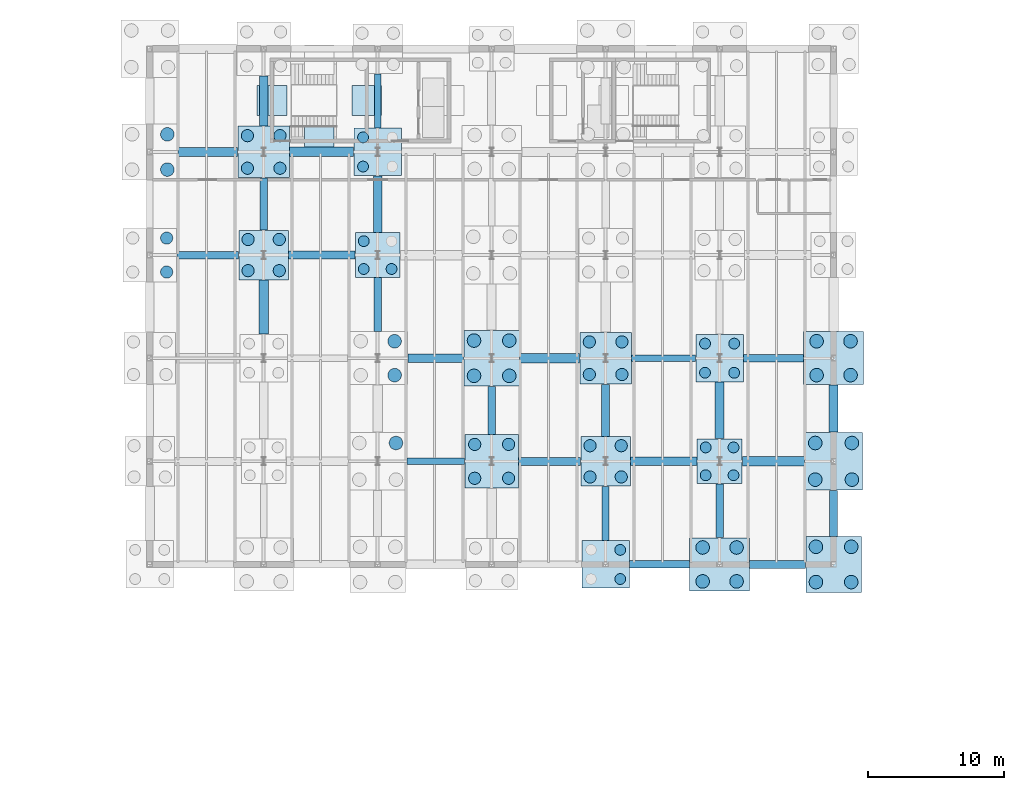
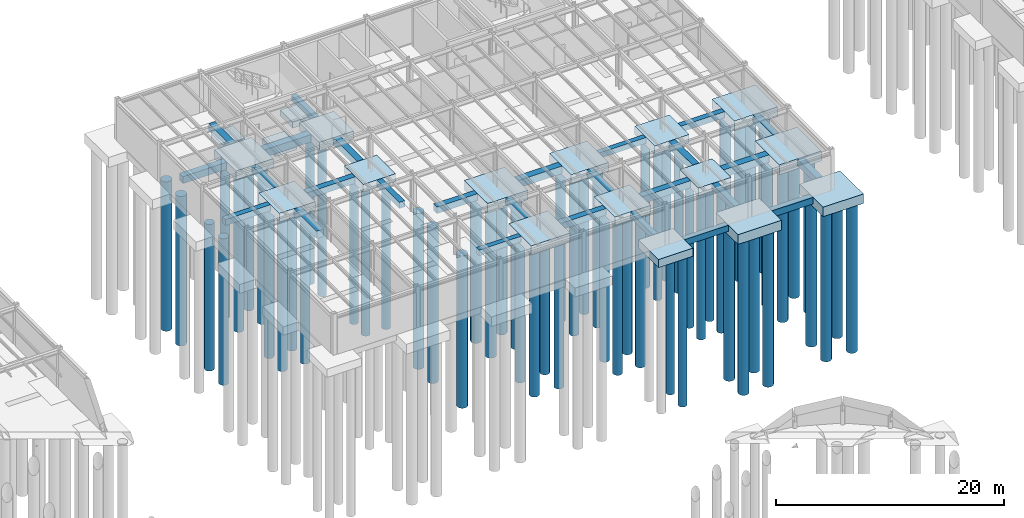
# One storey, part 4 of 33: 62 piles, 45 footings.
"""IFC4 building model written with IfcOpenShell, lengths in metres."""

from ifc_helpers import new_model, si_unit, direction, frame, origin, origin_2d, place, context, subcontext, project, spatial, rectangle, circle, extrude, material, material_profile, profile_set, type_object, element, save


model = new_model("IFC4")

# Units and contexts
model_context = context("Model", 3, precision=1e-05, world=origin(), true_north=direction((0.0, 1.0)))
body_context = subcontext(model_context, "Body", "Model", "MODEL_VIEW")
ifc_project = project(units=[si_unit("LENGTHUNIT", "METRE"), si_unit("AREAUNIT", "SQUARE_METRE"), si_unit("VOLUMEUNIT", "CUBIC_METRE"), si_unit("PLANEANGLEUNIT", "RADIAN"), si_unit("MASSUNIT", "GRAM", prefix="KILO")], contexts=[model_context])

# Site, building, storey
site_placement = place(None, origin())
site = spatial("IfcSite", under=ifc_project, at=site_placement, CompositionType="ELEMENT")
building_placement = place(site_placement, origin())
building = spatial("IfcBuilding", under=site, at=building_placement, Name="Montecoro Central Library", CompositionType="ELEMENT")
storey_placement = place(building_placement, frame((0.0, 0.0, -4.419921875)))
storey = spatial("IfcBuildingStorey", under=building, at=storey_placement, Name="B1", CompositionType="ELEMENT", Elevation=-4.419921875)

# Footings
ifc_material = material(Name="Concrete C35/45", Category="concrete")
footing_type_1 = type_object("IfcFootingType", Name="FT-PAD-220", PredefinedType="PAD_FOOTING", material=ifc_material)
for number, where, z_axis, x_axis, name in (
    (1, (78.89990234375, 112.199951171875, -1.150146484375), (0.0, 0.0, 1.0), (1.0, 0.0, 0.0), "FT-WALL-C2-WS"),
    (2, (75.39990234375, 115.199951171875, -1.150146484375), (0.0, 0.0, 1.0), (1.0, 0.0, 0.0), "FT-WALL-C2-WW"),
    (3, (82.39990234375, 115.199951171875, -1.150146484375), (0.0, 0.0, 1.0), (1.0, 0.0, 0.0), "FT-WALL-C2-WE"),
):
    element("IfcFooting", number, at=place(storey_placement, frame(where, z_axis=z_axis, x_axis=x_axis)), inside=storey, type_object=footing_type_1, Name=name, PredefinedType="PAD_FOOTING", context=body_context, shape_type="SweptSolid", body=[
        extrude(rectangle(XDim=2.199951171875, YDim=2.199951171875, at=origin_2d()), origin(), (0.0, 0.0, 1.0), 0.64990234375),
    ])
footing_type_2 = type_object("IfcFootingType", Name="FT-PC-330", PredefinedType="PILE_CAP", material=ifc_material)
for number, where, z_axis, x_axis, name in (
    (4, (83.199951171875, 103.800048828125, -0.85009765625), (0.0, 0.0, 1.0), (1.0, 0.0, 0.0), "V2-CAP-11-P"),
    (5, (108.39990234375, 88.60009765625, -0.85009765625), (0.0, 0.0, 1.0), (1.0, 0.0, 0.0), "V2-CAP-14-M"),
):
    element("IfcFooting", number, at=place(storey_placement, frame(where, z_axis=z_axis, x_axis=x_axis)), inside=storey, type_object=footing_type_2, Name=name, PredefinedType="PILE_CAP", context=body_context, shape_type="SweptSolid", body=[
        extrude(rectangle(XDim=3.300048828125, YDim=3.300048828125, at=origin_2d()), origin(), (0.0, 0.0, 1.0), 0.85009765625),
    ])
footing_type_3 = type_object("IfcFootingType", Name="FT-PC-350", PredefinedType="PILE_CAP", material=ifc_material)
for number, where, z_axis, x_axis, name in (
    (6, (83.199951171875, 111.39990234375, -0.880126953125), (0.0, 0.0, 1.0), (1.0, 0.0, 0.0), "V2-CAP-11-Q"),
    (7, (100.0, 81.0, -0.880126953125), (0.0, 0.0, 1.0), (1.0, 0.0, 0.0), "V2-CAP-13-L"),
    (8, (108.39990234375, 96.199951171875, -0.880126953125), (0.0, 0.0, 1.0), (1.0, 0.0, 0.0), "V2-CAP-14-N"),
):
    element("IfcFooting", number, at=place(storey_placement, frame(where, z_axis=z_axis, x_axis=x_axis)), inside=storey, type_object=footing_type_3, Name=name, PredefinedType="PILE_CAP", context=body_context, shape_type="SweptSolid", body=[
        extrude(rectangle(XDim=3.5, YDim=3.5, at=origin_2d()), origin(), (0.0, 0.0, 1.0), 0.8798828125),
    ])
footing_type_4 = type_object("IfcFootingType", Name="FT-PC-365", PredefinedType="PILE_CAP", material=ifc_material)
for number, where, z_axis, x_axis, name in (
    (9, (74.800048828125, 103.800048828125, -0.900146484375), (0.0, 0.0, 1.0), (1.0, 0.0, 0.0), "V2-CAP-10-P"),
    (10, (100.0, 88.60009765625, -0.900146484375), (0.0, 0.0, 1.0), (1.0, 0.0, 0.0), "V2-CAP-13-M"),
):
    element("IfcFooting", number, at=place(storey_placement, frame(where, z_axis=z_axis, x_axis=x_axis)), inside=storey, type_object=footing_type_4, Name=name, PredefinedType="PILE_CAP", context=body_context, shape_type="SweptSolid", body=[
        extrude(rectangle(XDim=3.64990234375, YDim=3.64990234375, at=origin_2d()), origin(), (0.0, 0.0, 1.0), 0.89990234375),
    ])
footing_type_5 = type_object("IfcFootingType", Name="FT-PC-380", PredefinedType="PILE_CAP", material=ifc_material)
for number, where, z_axis, x_axis, name in (
    (11, (74.800048828125, 111.39990234375, -0.9501953125), (0.0, 0.0, 1.0), (1.0, 0.0, 0.0), "V2-CAP-10-Q"),
    (12, (100.0, 96.199951171875, -0.9501953125), (0.0, 0.0, 1.0), (1.0, 0.0, 0.0), "V2-CAP-13-N"),
):
    element("IfcFooting", number, at=place(storey_placement, frame(where, z_axis=z_axis, x_axis=x_axis)), inside=storey, type_object=footing_type_5, Name=name, PredefinedType="PILE_CAP", context=body_context, shape_type="SweptSolid", body=[
        extrude(rectangle(XDim=3.800048828125, YDim=3.800048828125, at=origin_2d()), origin(), (0.0, 0.0, 1.0), 0.949951171875),
    ])
footing_type_6 = type_object("IfcFootingType", Name="FT-PC-395", PredefinedType="PILE_CAP", material=ifc_material)
footing_1_placement = place(storey_placement, frame((91.60009765625, 88.60009765625, -0.97998046875), z_axis=(0.0, 0.0, 1.0), x_axis=(1.0, 0.0, 0.0)))
element("IfcFooting", 13, at=footing_1_placement, inside=storey, type_object=footing_type_6, Name="V2-CAP-12-M", PredefinedType="PILE_CAP", context=body_context, shape_type="SweptSolid", body=[
    extrude(rectangle(XDim=3.949951171875, YDim=3.949951171875, at=origin_2d()), origin(), (0.0, 0.0, 1.0), 0.97998046875),
])
footing_type_7 = type_object("IfcFootingType", Name="FT-PC-410", PredefinedType="PILE_CAP", material=ifc_material)
for number, where, z_axis, x_axis, name in (
    (14, (91.60009765625, 96.199951171875, -1.02001953125), (0.0, 0.0, 1.0), (1.0, 0.0, 0.0), "V2-CAP-12-N"),
    (15, (116.800048828125, 81.0, -1.02001953125), (0.0, 0.0, 1.0), (1.0, 0.0, 0.0), "V2-CAP-15-L"),
):
    element("IfcFooting", number, at=place(storey_placement, frame(where, z_axis=z_axis, x_axis=x_axis)), inside=storey, type_object=footing_type_7, Name=name, PredefinedType="PILE_CAP", context=body_context, shape_type="SweptSolid", body=[
        extrude(rectangle(XDim=4.10009765625, YDim=4.10009765625, at=origin_2d()), origin(), (0.0, 0.0, 1.0), 1.02001953125),
    ])
footing_type_8 = type_object("IfcFootingType", Name="FT-PC-425", PredefinedType="PILE_CAP", material=ifc_material)
footing_2_placement = place(storey_placement, frame((116.800048828125, 88.60009765625, -1.06005859375), z_axis=(0.0, 0.0, 1.0), x_axis=(1.0, 0.0, 0.0)))
element("IfcFooting", 16, at=footing_2_placement, inside=storey, type_object=footing_type_8, Name="V2-CAP-15-M", PredefinedType="PILE_CAP", context=body_context, shape_type="SweptSolid", body=[
    extrude(rectangle(XDim=4.25, YDim=4.25, at=origin_2d()), origin(), (0.0, 0.0, 1.0), 1.06005859375),
])
footing_type_9 = type_object("IfcFootingType", Name="FT-PC-440", PredefinedType="PILE_CAP", material=ifc_material)
for number, where, z_axis, x_axis, name in (
    (17, (108.39990234375, 81.0, -1.05029296875), (0.0, 0.0, 1.0), (1.0, 0.0, 0.0), "V2-CAP-14-L"),
    (18, (116.800048828125, 96.199951171875, -1.05029296875), (0.0, 0.0, 1.0), (1.0, 0.0, 0.0), "V2-CAP-15-N"),
):
    element("IfcFooting", number, at=place(storey_placement, frame(where, z_axis=z_axis, x_axis=x_axis)), inside=storey, type_object=footing_type_9, Name=name, PredefinedType="PILE_CAP", context=body_context, shape_type="SweptSolid", body=[
        extrude(rectangle(XDim=4.39990234375, YDim=3.89990234375, at=origin_2d()), origin(), (0.0, 0.0, 1.0), 1.050048828125),
    ])
footing_type_10 = type_object("IfcFootingType", Name="FT-TB-01", PredefinedType="FOOTING_BEAM", material=ifc_material)
footing_3_placement = place(storey_placement, frame((87.47509765625, 88.60009765625, -0.60009765625), z_axis=(0.0, 0.0, 1.0), x_axis=(1.0, 0.0, 0.0)))
element("IfcFooting", 19, at=footing_3_placement, inside=storey, type_object=footing_type_10, Name="FT-TBX-075", PredefinedType="FOOTING_BEAM", context=body_context, shape_type="SweptSolid", body=[
    extrude(rectangle(XDim=4.260009765625, YDim=0.5, at=origin_2d()), origin(), (0.0, 0.0, 1.0), 0.60009765625),
])
for number, where, z_axis, x_axis, name in (
    (20, (83.199951171875, 115.162109375, -0.60009765625), (0.0, 0.0, 1.0), (1.0, 0.0, 0.0), "FT-TBY-080"),
    (21, (100.0, 84.761962890625, -0.60009765625), (0.0, 0.0, 1.0), (1.0, 0.0, 0.0), "FT-TBY-095"),
):
    element("IfcFooting", number, at=place(storey_placement, frame(where, z_axis=z_axis, x_axis=x_axis)), inside=storey, type_object=footing_type_10, Name=name, PredefinedType="FOOTING_BEAM", context=body_context, shape_type="SweptSolid", body=[
        extrude(rectangle(XDim=0.5, YDim=3.985107421875, at=origin_2d()), origin(), (0.0, 0.0, 1.0), 0.60009765625),
    ])
footing_4_placement = place(storey_placement, frame((104.27490234375, 96.199951171875, -0.60009765625), z_axis=(0.0, 0.0, 1.0), x_axis=(1.0, 0.0, 0.0)))
element("IfcFooting", 22, at=footing_4_placement, inside=storey, type_object=footing_type_10, Name="FT-TBX-100", PredefinedType="FOOTING_BEAM", context=body_context, shape_type="SweptSolid", body=[
    extrude(rectangle(XDim=4.7099609375, YDim=0.5, at=origin_2d()), origin(), (0.0, 0.0, 1.0), 0.60009765625),
])
footing_type_11 = type_object("IfcFootingType", Name="FT-TB-02", PredefinedType="FOOTING_BEAM", material=ifc_material)
footing_5_placement = place(storey_placement, frame((70.675048828125, 103.800048828125, -0.650146484375), z_axis=(0.0, 0.0, 1.0), x_axis=(1.0, 0.0, 0.0)))
element("IfcFooting", 23, at=footing_5_placement, inside=storey, type_object=footing_type_11, Name="FT-TBX-056", PredefinedType="FOOTING_BEAM", context=body_context, shape_type="SweptSolid", body=[
    extrude(rectangle(XDim=4.56005859375, YDim=0.550048828125, at=origin_2d()), origin(), (0.0, 0.0, 1.0), 0.64990234375),
])
footing_6_placement = place(storey_placement, frame((74.800048828125, 107.56201171875, -0.650146484375), z_axis=(0.0, 0.0, 1.0), x_axis=(1.0, 0.0, 0.0)))
element("IfcFooting", 24, at=footing_6_placement, inside=storey, type_object=footing_type_11, Name="FT-TBY-066", PredefinedType="FOOTING_BEAM", context=body_context, shape_type="SweptSolid", body=[
    extrude(rectangle(XDim=0.550048828125, YDim=3.8349609375, at=origin_2d()), origin(), (0.0, 0.0, 1.0), 0.64990234375),
])
footing_7_placement = place(storey_placement, frame((83.199951171875, 100.14990234375, -0.650146484375), z_axis=(0.0, 0.0, 1.0), x_axis=(1.0, 0.0, 0.0)))
element("IfcFooting", 25, at=footing_7_placement, inside=storey, type_object=footing_type_11, Name="FT-TBY-076", PredefinedType="FOOTING_BEAM", context=body_context, shape_type="SweptSolid", body=[
    extrude(rectangle(XDim=0.550048828125, YDim=3.9599609375, at=origin_2d()), origin(), (0.0, 0.0, 1.0), 0.64990234375),
])
footing_8_placement = place(storey_placement, frame((91.60009765625, 92.362060546875, -0.650146484375), z_axis=(0.0, 0.0, 1.0), x_axis=(1.0, 0.0, 0.0)))
element("IfcFooting", 26, at=footing_8_placement, inside=storey, type_object=footing_type_11, Name="FT-TBY-086", PredefinedType="FOOTING_BEAM", context=body_context, shape_type="SweptSolid", body=[
    extrude(rectangle(XDim=0.550048828125, YDim=3.534912109375, at=origin_2d()), origin(), (0.0, 0.0, 1.0), 0.64990234375),
])
footing_9_placement = place(storey_placement, frame((103.97509765625, 81.0, -0.650146484375), z_axis=(0.0, 0.0, 1.0), x_axis=(1.0, 0.0, 0.0)))
element("IfcFooting", 27, at=footing_9_placement, inside=storey, type_object=footing_type_11, Name="FT-TBX-096", PredefinedType="FOOTING_BEAM", context=body_context, shape_type="SweptSolid", body=[
    extrude(rectangle(XDim=4.409912109375, YDim=0.550048828125, at=origin_2d()), origin(), (0.0, 0.0, 1.0), 0.64990234375),
])
footing_10_placement = place(storey_placement, frame((108.39990234375, 84.949951171875, -0.650146484375), z_axis=(0.0, 0.0, 1.0), x_axis=(1.0, 0.0, 0.0)))
element("IfcFooting", 28, at=footing_10_placement, inside=storey, type_object=footing_type_11, Name="FT-TBY-106", PredefinedType="FOOTING_BEAM", context=body_context, shape_type="SweptSolid", body=[
    extrude(rectangle(XDim=0.550048828125, YDim=3.9599609375, at=origin_2d()), origin(), (0.0, 0.0, 1.0), 0.64990234375),
])
footing_11_placement = place(storey_placement, frame((112.375, 96.199951171875, -0.650146484375), z_axis=(0.0, 0.0, 1.0), x_axis=(1.0, 0.0, 0.0)))
element("IfcFooting", 29, at=footing_11_placement, inside=storey, type_object=footing_type_11, Name="FT-TBX-111", PredefinedType="FOOTING_BEAM", context=body_context, shape_type="SweptSolid", body=[
    extrude(rectangle(XDim=4.409912109375, YDim=0.550048828125, at=origin_2d()), origin(), (0.0, 0.0, 1.0), 0.64990234375),
])
footing_type_12 = type_object("IfcFootingType", Name="FT-TB-03", PredefinedType="FOOTING_BEAM", material=ifc_material)
footing_12_placement = place(storey_placement, frame((79.087890625, 103.800048828125, -0.7001953125), z_axis=(0.0, 0.0, 1.0), x_axis=(1.0, 0.0, 0.0)))
element("IfcFooting", 30, at=footing_12_placement, inside=storey, type_object=footing_type_12, Name="FT-TBX-067", PredefinedType="FOOTING_BEAM", context=body_context, shape_type="SweptSolid", body=[
    extrude(rectangle(XDim=4.885009765625, YDim=0.60009765625, at=origin_2d()), origin(), (0.0, 0.0, 1.0), 0.699951171875),
])
footing_13_placement = place(storey_placement, frame((87.47509765625, 96.199951171875, -0.7001953125), z_axis=(0.0, 0.0, 1.0), x_axis=(1.0, 0.0, 0.0)))
element("IfcFooting", 31, at=footing_13_placement, inside=storey, type_object=footing_type_12, Name="FT-TBX-077", PredefinedType="FOOTING_BEAM", context=body_context, shape_type="SweptSolid", body=[
    extrude(rectangle(XDim=4.110107421875, YDim=0.60009765625, at=origin_2d()), origin(), (0.0, 0.0, 1.0), 0.699951171875),
])
footing_14_placement = place(storey_placement, frame((95.875, 88.60009765625, -0.7001953125), z_axis=(0.0, 0.0, 1.0), x_axis=(1.0, 0.0, 0.0)))
element("IfcFooting", 32, at=footing_14_placement, inside=storey, type_object=footing_type_12, Name="FT-TBX-087", PredefinedType="FOOTING_BEAM", context=body_context, shape_type="SweptSolid", body=[
    extrude(rectangle(XDim=4.56005859375, YDim=0.60009765625, at=origin_2d()), origin(), (0.0, 0.0, 1.0), 0.699951171875),
])
footing_15_placement = place(storey_placement, frame((100.0, 92.362060546875, -0.7001953125), z_axis=(0.0, 0.0, 1.0), x_axis=(1.0, 0.0, 0.0)))
element("IfcFooting", 33, at=footing_15_placement, inside=storey, type_object=footing_type_12, Name="FT-TBY-097", PredefinedType="FOOTING_BEAM", context=body_context, shape_type="SweptSolid", body=[
    extrude(rectangle(XDim=0.60009765625, YDim=3.8349609375, at=origin_2d()), origin(), (0.0, 0.0, 1.0), 0.699951171875),
])
footing_16_placement = place(storey_placement, frame((112.675048828125, 81.0, -0.7001953125), z_axis=(0.0, 0.0, 1.0), x_axis=(1.0, 0.0, 0.0)))
element("IfcFooting", 34, at=footing_16_placement, inside=storey, type_object=footing_type_12, Name="FT-TBX-107", PredefinedType="FOOTING_BEAM", context=body_context, shape_type="SweptSolid", body=[
    extrude(rectangle(XDim=4.110107421875, YDim=0.60009765625, at=origin_2d()), origin(), (0.0, 0.0, 1.0), 0.699951171875),
])
footing_17_placement = place(storey_placement, frame((116.800048828125, 84.761962890625, -0.7001953125), z_axis=(0.0, 0.0, 1.0), x_axis=(1.0, 0.0, 0.0)))
element("IfcFooting", 35, at=footing_17_placement, inside=storey, type_object=footing_type_12, Name="FT-TBY-117", PredefinedType="FOOTING_BEAM", context=body_context, shape_type="SweptSolid", body=[
    extrude(rectangle(XDim=0.60009765625, YDim=3.385009765625, at=origin_2d()), origin(), (0.0, 0.0, 1.0), 0.699951171875),
])
footing_type_13 = type_object("IfcFootingType", Name="FT-TB-04", PredefinedType="FOOTING_BEAM", material=ifc_material)
footing_18_placement = place(storey_placement, frame((70.675048828125, 111.39990234375, -0.75), z_axis=(0.0, 0.0, 1.0), x_axis=(1.0, 0.0, 0.0)))
element("IfcFooting", 36, at=footing_18_placement, inside=storey, type_object=footing_type_13, Name="FT-TBX-058", PredefinedType="FOOTING_BEAM", context=body_context, shape_type="SweptSolid", body=[
    extrude(rectangle(XDim=4.409912109375, YDim=0.64990234375, at=origin_2d()), origin(), (0.0, 0.0, 1.0), 0.75),
])
footing_19_placement = place(storey_placement, frame((74.800048828125, 115.162109375, -0.75), z_axis=(0.0, 0.0, 1.0), x_axis=(1.0, 0.0, 0.0)))
element("IfcFooting", 37, at=footing_19_placement, inside=storey, type_object=footing_type_13, Name="FT-TBY-068", PredefinedType="FOOTING_BEAM", context=body_context, shape_type="SweptSolid", body=[
    extrude(rectangle(XDim=0.64990234375, YDim=3.68505859375, at=origin_2d()), origin(), (0.0, 0.0, 1.0), 0.75),
])
footing_20_placement = place(storey_placement, frame((83.199951171875, 107.550048828125, -0.75), z_axis=(0.0, 0.0, 1.0), x_axis=(1.0, 0.0, 0.0)))
element("IfcFooting", 38, at=footing_20_placement, inside=storey, type_object=footing_type_13, Name="FT-TBY-078", PredefinedType="FOOTING_BEAM", context=body_context, shape_type="SweptSolid", body=[
    extrude(rectangle(XDim=0.64990234375, YDim=4.159912109375, at=origin_2d()), origin(), (0.0, 0.0, 1.0), 0.75),
])
footing_21_placement = place(storey_placement, frame((104.287109375, 88.60009765625, -0.75), z_axis=(0.0, 0.0, 1.0), x_axis=(1.0, 0.0, 0.0)))
element("IfcFooting", 39, at=footing_21_placement, inside=storey, type_object=footing_type_13, Name="FT-TBX-098", PredefinedType="FOOTING_BEAM", context=body_context, shape_type="SweptSolid", body=[
    extrude(rectangle(XDim=4.885009765625, YDim=0.64990234375, at=origin_2d()), origin(), (0.0, 0.0, 1.0), 0.75),
])
footing_22_placement = place(storey_placement, frame((108.39990234375, 92.35009765625, -0.75), z_axis=(0.0, 0.0, 1.0), x_axis=(1.0, 0.0, 0.0)))
element("IfcFooting", 40, at=footing_22_placement, inside=storey, type_object=footing_type_13, Name="FT-TBY-108", PredefinedType="FOOTING_BEAM", context=body_context, shape_type="SweptSolid", body=[
    extrude(rectangle(XDim=0.64990234375, YDim=4.159912109375, at=origin_2d()), origin(), (0.0, 0.0, 1.0), 0.75),
])
footing_23_placement = place(storey_placement, frame((116.800048828125, 92.488037109375, -0.75), z_axis=(0.0, 0.0, 1.0), x_axis=(1.0, 0.0, 0.0)))
element("IfcFooting", 41, at=footing_23_placement, inside=storey, type_object=footing_type_13, Name="FT-TBY-118", PredefinedType="FOOTING_BEAM", context=body_context, shape_type="SweptSolid", body=[
    extrude(rectangle(XDim=0.64990234375, YDim=3.485107421875, at=origin_2d()), origin(), (0.0, 0.0, 1.0), 0.75),
])
footing_type_14 = type_object("IfcFootingType", Name="FT-TB-05", PredefinedType="FOOTING_BEAM", material=ifc_material)
footing_24_placement = place(storey_placement, frame((74.800048828125, 99.962890625, -0.80029296875), z_axis=(0.0, 0.0, 1.0), x_axis=(1.0, 0.0, 0.0)))
element("IfcFooting", 42, at=footing_24_placement, inside=storey, type_object=footing_type_14, Name="FT-TBY-064", PredefinedType="FOOTING_BEAM", context=body_context, shape_type="SweptSolid", body=[
    extrude(rectangle(XDim=0.699951171875, YDim=3.985107421875, at=origin_2d()), origin(), (0.0, 0.0, 1.0), 0.800048828125),
])
footing_25_placement = place(storey_placement, frame((79.074951171875, 111.39990234375, -0.80029296875), z_axis=(0.0, 0.0, 1.0), x_axis=(1.0, 0.0, 0.0)))
element("IfcFooting", 43, at=footing_25_placement, inside=storey, type_object=footing_type_14, Name="FT-TBX-069", PredefinedType="FOOTING_BEAM", context=body_context, shape_type="SweptSolid", body=[
    extrude(rectangle(XDim=4.7099609375, YDim=0.699951171875, at=origin_2d()), origin(), (0.0, 0.0, 1.0), 0.800048828125),
])
footing_26_placement = place(storey_placement, frame((95.875, 96.199951171875, -0.80029296875), z_axis=(0.0, 0.0, 1.0), x_axis=(1.0, 0.0, 0.0)))
element("IfcFooting", 44, at=footing_26_placement, inside=storey, type_object=footing_type_14, Name="FT-TBX-089", PredefinedType="FOOTING_BEAM", context=body_context, shape_type="SweptSolid", body=[
    extrude(rectangle(XDim=4.409912109375, YDim=0.699951171875, at=origin_2d()), origin(), (0.0, 0.0, 1.0), 0.800048828125),
])
footing_27_placement = place(storey_placement, frame((112.362060546875, 88.60009765625, -0.80029296875), z_axis=(0.0, 0.0, 1.0), x_axis=(1.0, 0.0, 0.0)))
element("IfcFooting", 45, at=footing_27_placement, inside=storey, type_object=footing_type_14, Name="FT-TBX-109", PredefinedType="FOOTING_BEAM", context=body_context, shape_type="SweptSolid", body=[
    extrude(rectangle(XDim=4.5849609375, YDim=0.699951171875, at=origin_2d()), origin(), (0.0, 0.0, 1.0), 0.800048828125),
])

# Piles
ifc_material_profile_1 = material_profile(ifc_material, circle(Radius=0.5, at=origin_2d()), Name="PILE D1000")
ifc_profile_set_1 = profile_set([ifc_material_profile_1], Name="Concrete C35/45")
pile_type_1 = type_object("IfcPileType", Name="PL-BORED-1000", PredefinedType="BORED", material=ifc_profile_set_1)
for number, where, z_axis, x_axis, name in (
    (46, (67.699951171875, 110.10009765625, -0.920166015625), (0.0, 0.0, -1.0), (1.0, 0.0, 0.0), "V2-CAP-9-Q-P3"),
    (47, (67.699951171875, 112.699951171875, -0.920166015625), (0.0, 0.0, -1.0), (1.0, 0.0, 0.0), "V2-CAP-9-Q-P4"),
):
    element("IfcPile", number, at=place(storey_placement, frame(where, z_axis=z_axis, x_axis=x_axis)), inside=storey, type_object=pile_type_1, Name=name, PredefinedType="BORED", context=body_context, shape_type="SweptSolid", body=[
        extrude(circle(Radius=0.5, at=origin_2d()), origin(), (0.0, 0.0, 1.0), 16.010009765625),
    ])
pile_placement = place(storey_placement, frame((84.550048828125, 89.949951171875, -0.9599609375), z_axis=(0.0, 0.0, -1.0), x_axis=(1.0, 0.0, 0.0)))
element("IfcPile", 48, at=pile_placement, inside=storey, type_object=pile_type_1, Name="V2-CAP-11-M-P4", PredefinedType="BORED", context=body_context, shape_type="SweptSolid", body=[
    extrude(circle(Radius=0.5, at=origin_2d()), origin(), (0.0, 0.0, 1.0), 16.320068359375),
])
for number, where, z_axis, x_axis, name in (
    (49, (84.449951171875, 94.949951171875, -0.9501953125), (0.0, 0.0, -1.0), (1.0, 0.0, 0.0), "V2-CAP-11-N-P3"),
    (50, (84.449951171875, 97.449951171875, -0.9501953125), (0.0, 0.0, -1.0), (1.0, 0.0, 0.0), "V2-CAP-11-N-P4"),
):
    element("IfcPile", number, at=place(storey_placement, frame(where, z_axis=z_axis, x_axis=x_axis)), inside=storey, type_object=pile_type_1, Name=name, PredefinedType="BORED", context=body_context, shape_type="SweptSolid", body=[
        extrude(circle(Radius=0.5, at=origin_2d()), origin(), (0.0, 0.0, 1.0), 16.679931640625),
    ])
for number, where, z_axis, x_axis, name in (
    (51, (90.300048828125, 94.89990234375, -0.920166015625), (0.0, 0.0, -1.0), (1.0, 0.0, 0.0), "V2-CAP-12-N-P1"),
    (52, (90.300048828125, 97.5, -0.920166015625), (0.0, 0.0, -1.0), (1.0, 0.0, 0.0), "V2-CAP-12-N-P2"),
    (53, (92.89990234375, 94.89990234375, -0.920166015625), (0.0, 0.0, -1.0), (1.0, 0.0, 0.0), "V2-CAP-12-N-P3"),
    (54, (92.89990234375, 97.5, -0.920166015625), (0.0, 0.0, -1.0), (1.0, 0.0, 0.0), "V2-CAP-12-N-P4"),
):
    element("IfcPile", number, at=place(storey_placement, frame(where, z_axis=z_axis, x_axis=x_axis)), inside=storey, type_object=pile_type_1, Name=name, PredefinedType="BORED", context=body_context, shape_type="SweptSolid", body=[
        extrude(circle(Radius=0.5, at=origin_2d()), origin(), (0.0, 0.0, 1.0), 16.010009765625),
    ])
for number, where, z_axis, x_axis, name in (
    (55, (107.14990234375, 79.75, -0.9501953125), (0.0, 0.0, -1.0), (1.0, 0.0, 0.0), "V2-CAP-14-L-P1"),
    (56, (107.14990234375, 82.25, -0.9501953125), (0.0, 0.0, -1.0), (1.0, 0.0, 0.0), "V2-CAP-14-L-P2"),
    (57, (109.64990234375, 79.75, -0.9501953125), (0.0, 0.0, -1.0), (1.0, 0.0, 0.0), "V2-CAP-14-L-P3"),
    (58, (109.64990234375, 82.25, -0.9501953125), (0.0, 0.0, -1.0), (1.0, 0.0, 0.0), "V2-CAP-14-L-P4"),
):
    element("IfcPile", number, at=place(storey_placement, frame(where, z_axis=z_axis, x_axis=x_axis)), inside=storey, type_object=pile_type_1, Name=name, PredefinedType="BORED", context=body_context, shape_type="SweptSolid", body=[
        extrude(circle(Radius=0.5, at=origin_2d()), origin(), (0.0, 0.0, 1.0), 16.679931640625),
    ])
for number, where, z_axis, x_axis, name in (
    (59, (115.5, 79.699951171875, -0.920166015625), (0.0, 0.0, -1.0), (1.0, 0.0, 0.0), "V2-CAP-15-L-P1"),
    (60, (115.5, 82.300048828125, -0.920166015625), (0.0, 0.0, -1.0), (1.0, 0.0, 0.0), "V2-CAP-15-L-P2"),
    (61, (118.10009765625, 79.699951171875, -0.920166015625), (0.0, 0.0, -1.0), (1.0, 0.0, 0.0), "V2-CAP-15-L-P3"),
    (62, (118.10009765625, 82.300048828125, -0.920166015625), (0.0, 0.0, -1.0), (1.0, 0.0, 0.0), "V2-CAP-15-L-P4"),
):
    element("IfcPile", number, at=place(storey_placement, frame(where, z_axis=z_axis, x_axis=x_axis)), inside=storey, type_object=pile_type_1, Name=name, PredefinedType="BORED", context=body_context, shape_type="SweptSolid", body=[
        extrude(circle(Radius=0.5, at=origin_2d()), origin(), (0.0, 0.0, 1.0), 16.010009765625),
    ])
for number, where, z_axis, x_axis, name in (
    (63, (115.449951171875, 87.25, -0.9599609375), (0.0, 0.0, -1.0), (1.0, 0.0, 0.0), "V2-CAP-15-M-P1"),
    (64, (115.449951171875, 89.949951171875, -0.9599609375), (0.0, 0.0, -1.0), (1.0, 0.0, 0.0), "V2-CAP-15-M-P2"),
    (65, (118.14990234375, 87.25, -0.9599609375), (0.0, 0.0, -1.0), (1.0, 0.0, 0.0), "V2-CAP-15-M-P3"),
    (66, (118.14990234375, 89.949951171875, -0.9599609375), (0.0, 0.0, -1.0), (1.0, 0.0, 0.0), "V2-CAP-15-M-P4"),
):
    element("IfcPile", number, at=place(storey_placement, frame(where, z_axis=z_axis, x_axis=x_axis)), inside=storey, type_object=pile_type_1, Name=name, PredefinedType="BORED", context=body_context, shape_type="SweptSolid", body=[
        extrude(circle(Radius=0.5, at=origin_2d()), origin(), (0.0, 0.0, 1.0), 16.320068359375),
    ])
for number, where, z_axis, x_axis, name in (
    (67, (115.550048828125, 94.949951171875, -0.9501953125), (0.0, 0.0, -1.0), (1.0, 0.0, 0.0), "V2-CAP-15-N-P1"),
    (68, (115.550048828125, 97.449951171875, -0.9501953125), (0.0, 0.0, -1.0), (1.0, 0.0, 0.0), "V2-CAP-15-N-P2"),
    (69, (118.050048828125, 94.949951171875, -0.9501953125), (0.0, 0.0, -1.0), (1.0, 0.0, 0.0), "V2-CAP-15-N-P3"),
    (70, (118.050048828125, 97.449951171875, -0.9501953125), (0.0, 0.0, -1.0), (1.0, 0.0, 0.0), "V2-CAP-15-N-P4"),
):
    element("IfcPile", number, at=place(storey_placement, frame(where, z_axis=z_axis, x_axis=x_axis)), inside=storey, type_object=pile_type_1, Name=name, PredefinedType="BORED", context=body_context, shape_type="SweptSolid", body=[
        extrude(circle(Radius=0.5, at=origin_2d()), origin(), (0.0, 0.0, 1.0), 16.679931640625),
    ])
ifc_material_profile_2 = material_profile(ifc_material, circle(Radius=0.39990234375, at=origin_2d()), Name="PILE D800")
ifc_profile_set_2 = profile_set([ifc_material_profile_2], Name="Concrete C35/45")
pile_type_2 = type_object("IfcPileType", Name="PL-BORED-800", PredefinedType="BORED", material=ifc_profile_set_2)
for number, where, z_axis, x_axis, name in (
    (71, (82.175048828125, 102.77490234375, -0.75), (0.0, 0.0, -1.0), (1.0, 0.0, 0.0), "V2-CAP-11-P-P1"),
    (72, (82.175048828125, 104.824951171875, -0.75), (0.0, 0.0, -1.0), (1.0, 0.0, 0.0), "V2-CAP-11-P-P2"),
    (73, (84.22509765625, 102.77490234375, -0.75), (0.0, 0.0, -1.0), (1.0, 0.0, 0.0), "V2-CAP-11-P-P3"),
):
    element("IfcPile", number, at=place(storey_placement, frame(where, z_axis=z_axis, x_axis=x_axis)), inside=storey, type_object=pile_type_2, Name=name, PredefinedType="BORED", context=body_context, shape_type="SweptSolid", body=[
        extrude(circle(Radius=0.39990234375, at=origin_2d()), origin(), (0.0, 0.0, 1.0), 15.830078125),
    ])
for number, where, z_axis, x_axis, name in (
    (74, (82.125, 110.324951171875, -0.780029296875), (0.0, 0.0, -1.0), (1.0, 0.0, 0.0), "V2-CAP-11-Q-P1"),
    (75, (82.125, 112.47509765625, -0.780029296875), (0.0, 0.0, -1.0), (1.0, 0.0, 0.0), "V2-CAP-11-Q-P2"),
    (76, (101.074951171875, 79.925048828125, -0.780029296875), (0.0, 0.0, -1.0), (1.0, 0.0, 0.0), "V2-CAP-13-L-P3"),
    (77, (101.074951171875, 82.074951171875, -0.780029296875), (0.0, 0.0, -1.0), (1.0, 0.0, 0.0), "V2-CAP-13-L-P4"),
):
    element("IfcPile", number, at=place(storey_placement, frame(where, z_axis=z_axis, x_axis=x_axis)), inside=storey, type_object=pile_type_2, Name=name, PredefinedType="BORED", context=body_context, shape_type="SweptSolid", body=[
        extrude(circle(Radius=0.39990234375, at=origin_2d()), origin(), (0.0, 0.0, 1.0), 16.14990234375),
    ])
for number, where, z_axis, x_axis, name in (
    (78, (107.375, 87.574951171875, -0.75), (0.0, 0.0, -1.0), (1.0, 0.0, 0.0), "V2-CAP-14-M-P1"),
    (79, (107.375, 89.625, -0.75), (0.0, 0.0, -1.0), (1.0, 0.0, 0.0), "V2-CAP-14-M-P2"),
    (80, (109.425048828125, 87.574951171875, -0.75), (0.0, 0.0, -1.0), (1.0, 0.0, 0.0), "V2-CAP-14-M-P3"),
    (81, (109.425048828125, 89.625, -0.75), (0.0, 0.0, -1.0), (1.0, 0.0, 0.0), "V2-CAP-14-M-P4"),
):
    element("IfcPile", number, at=place(storey_placement, frame(where, z_axis=z_axis, x_axis=x_axis)), inside=storey, type_object=pile_type_2, Name=name, PredefinedType="BORED", context=body_context, shape_type="SweptSolid", body=[
        extrude(circle(Radius=0.39990234375, at=origin_2d()), origin(), (0.0, 0.0, 1.0), 15.830078125),
    ])
for number, where, z_axis, x_axis, name in (
    (82, (107.324951171875, 95.125, -0.780029296875), (0.0, 0.0, -1.0), (1.0, 0.0, 0.0), "V2-CAP-14-N-P1"),
    (83, (107.324951171875, 97.27490234375, -0.780029296875), (0.0, 0.0, -1.0), (1.0, 0.0, 0.0), "V2-CAP-14-N-P2"),
    (84, (109.47509765625, 95.125, -0.780029296875), (0.0, 0.0, -1.0), (1.0, 0.0, 0.0), "V2-CAP-14-N-P3"),
    (85, (109.47509765625, 97.27490234375, -0.780029296875), (0.0, 0.0, -1.0), (1.0, 0.0, 0.0), "V2-CAP-14-N-P4"),
):
    element("IfcPile", number, at=place(storey_placement, frame(where, z_axis=z_axis, x_axis=x_axis)), inside=storey, type_object=pile_type_2, Name=name, PredefinedType="BORED", context=body_context, shape_type="SweptSolid", body=[
        extrude(circle(Radius=0.39990234375, at=origin_2d()), origin(), (0.0, 0.0, 1.0), 16.14990234375),
    ])
ifc_material_profile_3 = material_profile(ifc_material, circle(Radius=0.449951171875, at=origin_2d()), Name="PILE D900")
ifc_profile_set_3 = profile_set([ifc_material_profile_3], Name="Concrete C35/45")
pile_type_3 = type_object("IfcPileType", Name="PL-BORED-900", PredefinedType="BORED", material=ifc_profile_set_3)
for number, where, z_axis, x_axis, name in (
    (86, (67.64990234375, 102.550048828125, -0.880126953125), (0.0, 0.0, -1.0), (1.0, 0.0, 0.0), "V2-CAP-9-P-P3"),
    (87, (67.64990234375, 105.050048828125, -0.880126953125), (0.0, 0.0, -1.0), (1.0, 0.0, 0.0), "V2-CAP-9-P-P4"),
):
    element("IfcPile", number, at=place(storey_placement, frame(where, z_axis=z_axis, x_axis=x_axis)), inside=storey, type_object=pile_type_3, Name=name, PredefinedType="BORED", context=body_context, shape_type="SweptSolid", body=[
        extrude(circle(Radius=0.449951171875, at=origin_2d()), origin(), (0.0, 0.0, 1.0), 15.699951171875),
    ])
for number, where, z_axis, x_axis, name in (
    (88, (73.64990234375, 102.64990234375, -0.800048828125), (0.0, 0.0, -1.0), (1.0, 0.0, 0.0), "V2-CAP-10-P-P1"),
    (89, (73.64990234375, 104.949951171875, -0.800048828125), (0.0, 0.0, -1.0), (1.0, 0.0, 0.0), "V2-CAP-10-P-P2"),
    (90, (75.949951171875, 102.64990234375, -0.800048828125), (0.0, 0.0, -1.0), (1.0, 0.0, 0.0), "V2-CAP-10-P-P3"),
    (91, (75.949951171875, 104.949951171875, -0.800048828125), (0.0, 0.0, -1.0), (1.0, 0.0, 0.0), "V2-CAP-10-P-P4"),
):
    element("IfcPile", number, at=place(storey_placement, frame(where, z_axis=z_axis, x_axis=x_axis)), inside=storey, type_object=pile_type_3, Name=name, PredefinedType="BORED", context=body_context, shape_type="SweptSolid", body=[
        extrude(circle(Radius=0.449951171875, at=origin_2d()), origin(), (0.0, 0.0, 1.0), 16.47998046875),
    ])
for number, where, z_axis, x_axis, name in (
    (92, (73.60009765625, 110.199951171875, -0.85009765625), (0.0, 0.0, -1.0), (1.0, 0.0, 0.0), "V2-CAP-10-Q-P1"),
    (93, (73.60009765625, 112.60009765625, -0.85009765625), (0.0, 0.0, -1.0), (1.0, 0.0, 0.0), "V2-CAP-10-Q-P2"),
    (94, (76.0, 110.199951171875, -0.85009765625), (0.0, 0.0, -1.0), (1.0, 0.0, 0.0), "V2-CAP-10-Q-P3"),
    (95, (76.0, 112.60009765625, -0.85009765625), (0.0, 0.0, -1.0), (1.0, 0.0, 0.0), "V2-CAP-10-Q-P4"),
):
    element("IfcPile", number, at=place(storey_placement, frame(where, z_axis=z_axis, x_axis=x_axis)), inside=storey, type_object=pile_type_3, Name=name, PredefinedType="BORED", context=body_context, shape_type="SweptSolid", body=[
        extrude(circle(Radius=0.449951171875, at=origin_2d()), origin(), (0.0, 0.0, 1.0), 16.780029296875),
    ])
for number, where, z_axis, x_axis, name in (
    (96, (90.35009765625, 87.35009765625, -0.880126953125), (0.0, 0.0, -1.0), (1.0, 0.0, 0.0), "V2-CAP-12-M-P1"),
    (97, (90.35009765625, 89.85009765625, -0.880126953125), (0.0, 0.0, -1.0), (1.0, 0.0, 0.0), "V2-CAP-12-M-P2"),
    (98, (92.85009765625, 87.35009765625, -0.880126953125), (0.0, 0.0, -1.0), (1.0, 0.0, 0.0), "V2-CAP-12-M-P3"),
    (99, (92.85009765625, 89.85009765625, -0.880126953125), (0.0, 0.0, -1.0), (1.0, 0.0, 0.0), "V2-CAP-12-M-P4"),
):
    element("IfcPile", number, at=place(storey_placement, frame(where, z_axis=z_axis, x_axis=x_axis)), inside=storey, type_object=pile_type_3, Name=name, PredefinedType="BORED", context=body_context, shape_type="SweptSolid", body=[
        extrude(circle(Radius=0.449951171875, at=origin_2d()), origin(), (0.0, 0.0, 1.0), 15.699951171875),
    ])
for number, where, z_axis, x_axis, name in (
    (100, (98.85009765625, 87.449951171875, -0.800048828125), (0.0, 0.0, -1.0), (1.0, 0.0, 0.0), "V2-CAP-13-M-P1"),
    (101, (98.85009765625, 89.75, -0.800048828125), (0.0, 0.0, -1.0), (1.0, 0.0, 0.0), "V2-CAP-13-M-P2"),
    (102, (101.14990234375, 87.449951171875, -0.800048828125), (0.0, 0.0, -1.0), (1.0, 0.0, 0.0), "V2-CAP-13-M-P3"),
    (103, (101.14990234375, 89.75, -0.800048828125), (0.0, 0.0, -1.0), (1.0, 0.0, 0.0), "V2-CAP-13-M-P4"),
):
    element("IfcPile", number, at=place(storey_placement, frame(where, z_axis=z_axis, x_axis=x_axis)), inside=storey, type_object=pile_type_3, Name=name, PredefinedType="BORED", context=body_context, shape_type="SweptSolid", body=[
        extrude(circle(Radius=0.449951171875, at=origin_2d()), origin(), (0.0, 0.0, 1.0), 16.47998046875),
    ])
for number, where, z_axis, x_axis, name in (
    (104, (98.800048828125, 95.0, -0.85009765625), (0.0, 0.0, -1.0), (1.0, 0.0, 0.0), "V2-CAP-13-N-P1"),
    (105, (98.800048828125, 97.39990234375, -0.85009765625), (0.0, 0.0, -1.0), (1.0, 0.0, 0.0), "V2-CAP-13-N-P2"),
    (106, (101.199951171875, 95.0, -0.85009765625), (0.0, 0.0, -1.0), (1.0, 0.0, 0.0), "V2-CAP-13-N-P3"),
    (107, (101.199951171875, 97.39990234375, -0.85009765625), (0.0, 0.0, -1.0), (1.0, 0.0, 0.0), "V2-CAP-13-N-P4"),
):
    element("IfcPile", number, at=place(storey_placement, frame(where, z_axis=z_axis, x_axis=x_axis)), inside=storey, type_object=pile_type_3, Name=name, PredefinedType="BORED", context=body_context, shape_type="SweptSolid", body=[
        extrude(circle(Radius=0.449951171875, at=origin_2d()), origin(), (0.0, 0.0, 1.0), 16.780029296875),
    ])

save(model, "model.ifc")
